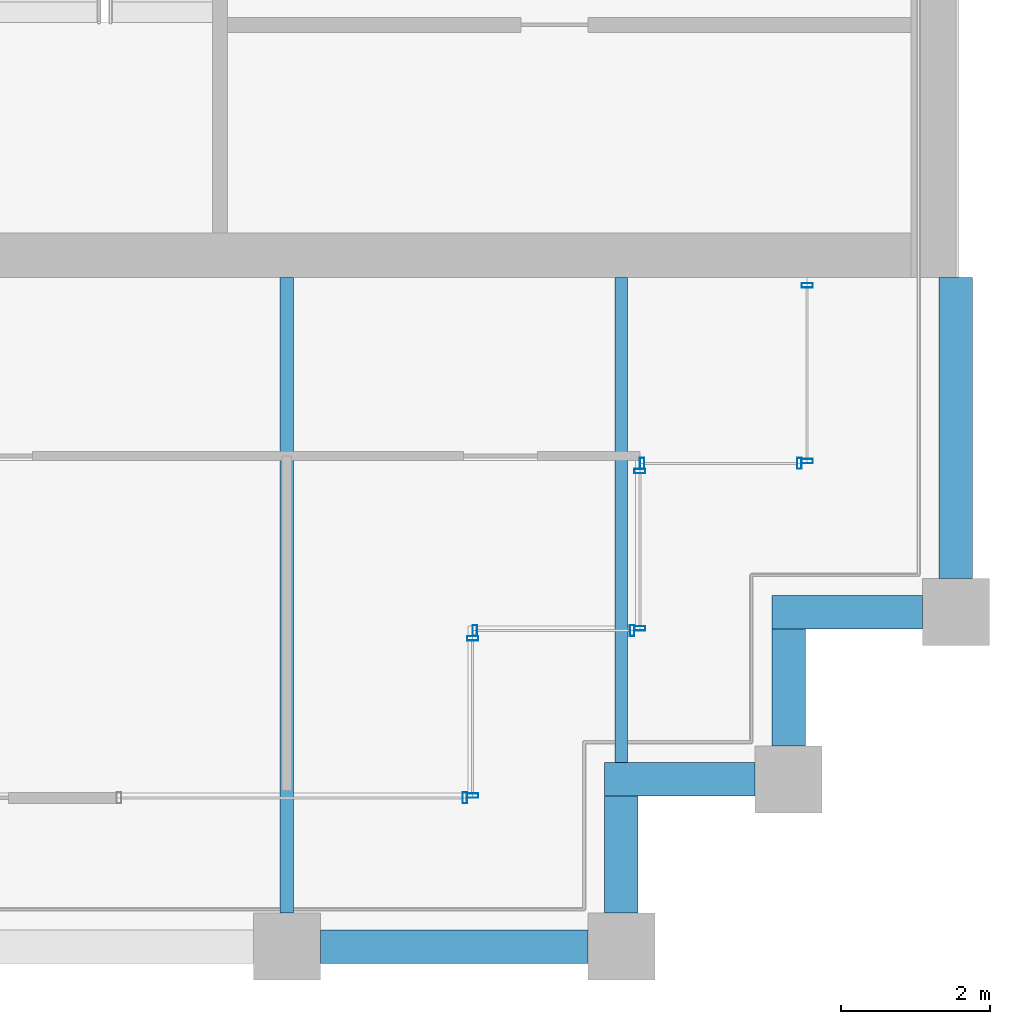
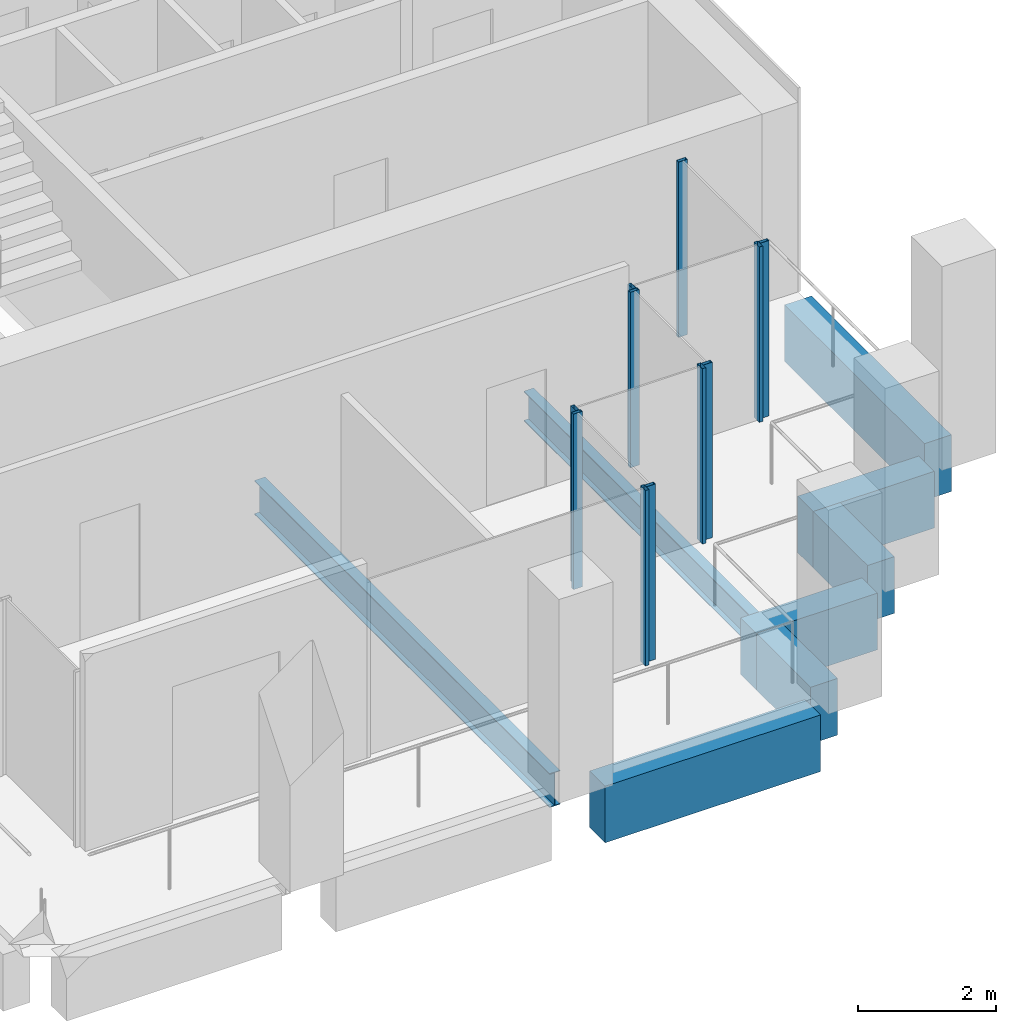
# One storey, part 31 of 40: 11 members, 8 beams, 6 elements without a shape of their own.
"""IFC4 building model written with IfcOpenShell, lengths in metres."""

from ifc_helpers import new_model, si_unit, direction, frame, origin, origin_2d, place, context, subcontext, project, spatial, rectangle, hollow_rectangle, i_section, extrude, material, material_profile, profile_set, type_object, element, aggregate, save


model = new_model("IFC4")

# Units and contexts
model_context = context("Model", 3, precision=1e-05, world=origin(), true_north=direction((0.0, 1.0)))
body_context = subcontext(model_context, "Body", "Model", "MODEL_VIEW")
ifc_project = project(units=[si_unit("LENGTHUNIT", "METRE"), si_unit("AREAUNIT", "SQUARE_METRE"), si_unit("VOLUMEUNIT", "CUBIC_METRE"), si_unit("PLANEANGLEUNIT", "RADIAN"), si_unit("MASSUNIT", "GRAM", prefix="KILO")], contexts=[model_context])

# Site, building, storey
site_placement = place(None, origin())
site = spatial("IfcSite", under=ifc_project, at=site_placement, CompositionType="ELEMENT")
building_placement = place(site_placement, origin())
building = spatial("IfcBuilding", under=site, at=building_placement, Name="Altepetl Exchange Towers", CompositionType="ELEMENT")
storey_placement = place(building_placement, frame((0.0, 0.0, 176.199951171875)))
storey = spatial("IfcBuildingStorey", under=building, at=storey_placement, Name="L44", CompositionType="ELEMENT", Elevation=176.199951171875)

# Beams
ifc_material_1 = material(Name="Steel S355", Category="steel")
ifc_material_profile_1 = material_profile(ifc_material_1, i_section(OverallWidth=0.166015625, OverallDepth=0.529052734375, WebThickness=0.009765625, FlangeThickness=0.013671875, at=origin_2d()), Name="W21X50")
ifc_profile_set_1 = profile_set([ifc_material_profile_1], Name="Steel S355")
beam_type_1 = type_object("IfcBeamType", Name="Floor beam W21X50", PredefinedType="BEAM", material=ifc_profile_set_1)
beam_1_placement = place(storey_placement, frame((112.5, 29.47509765625, -0.41455078125), z_axis=(0.0, 1.0, 0.0), x_axis=(-1.0, 0.0, 0.0)))
element("IfcBeam", 1, at=beam_1_placement, inside=storey, type_object=beam_type_1, Name="bm:B:L44:003", PredefinedType="BEAM", context=body_context, shape_type="SweptSolid", body=[
    extrude(i_section(OverallWidth=0.166015625, OverallDepth=0.529052734375, WebThickness=0.009765625, FlangeThickness=0.013671875, at=origin_2d()), origin(), (0.0, 0.0, 1.0), 6.52490234375),
])
ifc_material_profile_2 = material_profile(ifc_material_1, i_section(OverallWidth=0.177978515625, OverallDepth=0.59912109375, WebThickness=0.010009765625, FlangeThickness=0.0126953125, at=origin_2d()), Name="W24X55")
ifc_profile_set_2 = profile_set([ifc_material_profile_2], Name="Steel S355")
beam_type_2 = type_object("IfcBeamType", Name="Floor beam W24X55", PredefinedType="BEAM", material=ifc_profile_set_2)
beam_2_placement = place(storey_placement, frame((108.0, 27.449951171875, -0.449462890625), z_axis=(0.0, 1.0, 0.0), x_axis=(-1.0, 0.0, 0.0)))
element("IfcBeam", 2, at=beam_2_placement, inside=storey, type_object=beam_type_2, Name="bm:B:L44:002", PredefinedType="BEAM", context=body_context, shape_type="SweptSolid", body=[
    extrude(i_section(OverallWidth=0.177978515625, OverallDepth=0.59912109375, WebThickness=0.010009765625, FlangeThickness=0.0126953125, at=origin_2d()), origin(), (0.0, 0.0, 1.0), 8.550048828125),
])

# Curtain wall, member
ifc_material_2 = material(Name="Aluminium 6063-T6 glazing", Category="aluminium")
curtain_wall_type = type_object("IfcCurtainWallType", Name="Loggia glazing system", PredefinedType="NOTDEFINED", material=ifc_material_2)
curtain_wall_1_placement = place(storey_placement, origin())
curtain_wall_1 = element("IfcCurtainWall", 3, at=curtain_wall_1_placement, inside=storey, type_object=curtain_wall_type, Name="CW1 run", PredefinedType="NOTDEFINED")
ifc_material_3 = material(Name="Aluminium 6063-T6", Category="aluminium")
ifc_material_profile_3 = material_profile(ifc_material_3, hollow_rectangle(XDim=0.06005859375, YDim=0.14990234375, WallThickness=0.0029296875, at=origin_2d()), Name="Mullion 60x150 aluminium")
ifc_profile_set_3 = profile_set([ifc_material_profile_3], Name="Aluminium 6063-T6")
member_type = type_object("IfcMemberType", Name="Mullion 60x150 aluminium", PredefinedType="MULLION", material=ifc_profile_set_3)
member_1_placement = place(storey_placement, frame((110.39501953125, 29.0, 0.0)))
member_1 = element("IfcMember", 4, at=member_1_placement, type_object=member_type, Name="MU1 mullion", PredefinedType="MULLION", context=body_context, shape_type="SweptSolid", body=[
    extrude(hollow_rectangle(XDim=0.06005859375, YDim=0.14990234375, WallThickness=0.0029296875, at=origin_2d()), origin(), (0.0, 0.0, 1.0), 3.10009765625),
])
aggregate(curtain_wall_1, [member_1])

# Curtain wall, members
curtain_wall_2_placement = place(storey_placement, origin())
curtain_wall_2 = element("IfcCurtainWall", 5, at=curtain_wall_2_placement, inside=storey, type_object=curtain_wall_type, Name="CW1 run", PredefinedType="NOTDEFINED")
member_2_placement = place(storey_placement, frame((110.5, 29.030029296875, 0.0), z_axis=(0.0, 0.0, 1.0), x_axis=(0.0, 1.0, 0.0)))
member_2 = element("IfcMember", 6, at=member_2_placement, type_object=member_type, Name="MU1 mullion", PredefinedType="MULLION", context=body_context, shape_type="SweptSolid", body=[
    extrude(hollow_rectangle(XDim=0.06005859375, YDim=0.14990234375, WallThickness=0.0029296875, at=origin_2d()), origin(), (0.0, 0.0, 1.0), 3.10009765625),
])
member_3_placement = place(storey_placement, frame((110.5, 31.14501953125, 0.0), z_axis=(0.0, 0.0, 1.0), x_axis=(0.0, 1.0, 0.0)))
member_3 = element("IfcMember", 7, at=member_3_placement, type_object=member_type, Name="MU1 mullion", PredefinedType="MULLION", context=body_context, shape_type="SweptSolid", body=[
    extrude(hollow_rectangle(XDim=0.06005859375, YDim=0.14990234375, WallThickness=0.0029296875, at=origin_2d()), origin(), (0.0, 0.0, 1.0), 3.10009765625),
])
aggregate(curtain_wall_2, [member_2, member_3])

curtain_wall_3_placement = place(storey_placement, origin())
curtain_wall_3 = element("IfcCurtainWall", 8, at=curtain_wall_3_placement, inside=storey, type_object=curtain_wall_type, Name="CW1 run", PredefinedType="NOTDEFINED")
member_4_placement = place(storey_placement, frame((110.530029296875, 31.25, 0.0)))
member_4 = element("IfcMember", 9, at=member_4_placement, type_object=member_type, Name="MU1 mullion", PredefinedType="MULLION", context=body_context, shape_type="SweptSolid", body=[
    extrude(hollow_rectangle(XDim=0.06005859375, YDim=0.14990234375, WallThickness=0.0029296875, at=origin_2d()), origin(), (0.0, 0.0, 1.0), 3.10009765625),
])
member_5_placement = place(storey_placement, frame((112.64501953125, 31.25, 0.0)))
member_5 = element("IfcMember", 10, at=member_5_placement, type_object=member_type, Name="MU1 mullion", PredefinedType="MULLION", context=body_context, shape_type="SweptSolid", body=[
    extrude(hollow_rectangle(XDim=0.06005859375, YDim=0.14990234375, WallThickness=0.0029296875, at=origin_2d()), origin(), (0.0, 0.0, 1.0), 3.10009765625),
])
aggregate(curtain_wall_3, [member_4, member_5])

curtain_wall_4_placement = place(storey_placement, origin())
curtain_wall_4 = element("IfcCurtainWall", 11, at=curtain_wall_4_placement, inside=storey, type_object=curtain_wall_type, Name="CW1 run", PredefinedType="NOTDEFINED")
member_6_placement = place(storey_placement, frame((112.75, 31.280029296875, 0.0), z_axis=(0.0, 0.0, 1.0), x_axis=(0.0, 1.0, 0.0)))
member_6 = element("IfcMember", 12, at=member_6_placement, type_object=member_type, Name="MU1 mullion", PredefinedType="MULLION", context=body_context, shape_type="SweptSolid", body=[
    extrude(hollow_rectangle(XDim=0.06005859375, YDim=0.14990234375, WallThickness=0.0029296875, at=origin_2d()), origin(), (0.0, 0.0, 1.0), 3.10009765625),
])
member_7_placement = place(storey_placement, frame((112.75, 33.39501953125, 0.0), z_axis=(0.0, 0.0, 1.0), x_axis=(0.0, 1.0, 0.0)))
member_7 = element("IfcMember", 13, at=member_7_placement, type_object=member_type, Name="MU1 mullion", PredefinedType="MULLION", context=body_context, shape_type="SweptSolid", body=[
    extrude(hollow_rectangle(XDim=0.06005859375, YDim=0.14990234375, WallThickness=0.0029296875, at=origin_2d()), origin(), (0.0, 0.0, 1.0), 3.10009765625),
])
aggregate(curtain_wall_4, [member_6, member_7])

curtain_wall_5_placement = place(storey_placement, origin())
curtain_wall_5 = element("IfcCurtainWall", 14, at=curtain_wall_5_placement, inside=storey, type_object=curtain_wall_type, Name="CW1 run", PredefinedType="NOTDEFINED")
member_8_placement = place(storey_placement, frame((112.780029296875, 33.5, 0.0)))
member_8 = element("IfcMember", 15, at=member_8_placement, type_object=member_type, Name="MU1 mullion", PredefinedType="MULLION", context=body_context, shape_type="SweptSolid", body=[
    extrude(hollow_rectangle(XDim=0.06005859375, YDim=0.14990234375, WallThickness=0.0029296875, at=origin_2d()), origin(), (0.0, 0.0, 1.0), 3.10009765625),
])
member_9_placement = place(storey_placement, frame((114.89501953125, 33.5, 0.0)))
member_9 = element("IfcMember", 16, at=member_9_placement, type_object=member_type, Name="MU1 mullion", PredefinedType="MULLION", context=body_context, shape_type="SweptSolid", body=[
    extrude(hollow_rectangle(XDim=0.06005859375, YDim=0.14990234375, WallThickness=0.0029296875, at=origin_2d()), origin(), (0.0, 0.0, 1.0), 3.10009765625),
])
aggregate(curtain_wall_5, [member_8, member_9])

curtain_wall_6_placement = place(storey_placement, origin())
curtain_wall_6 = element("IfcCurtainWall", 17, at=curtain_wall_6_placement, inside=storey, type_object=curtain_wall_type, Name="CW1 run", PredefinedType="NOTDEFINED")
member_10_placement = place(storey_placement, frame((115.0, 33.530029296875, 0.0), z_axis=(0.0, 0.0, 1.0), x_axis=(0.0, 1.0, 0.0)))
member_10 = element("IfcMember", 18, at=member_10_placement, type_object=member_type, Name="MU1 mullion", PredefinedType="MULLION", context=body_context, shape_type="SweptSolid", body=[
    extrude(hollow_rectangle(XDim=0.06005859375, YDim=0.14990234375, WallThickness=0.0029296875, at=origin_2d()), origin(), (0.0, 0.0, 1.0), 3.10009765625),
])
member_11_placement = place(storey_placement, frame((115.0, 35.89501953125, 0.0), z_axis=(0.0, 0.0, 1.0), x_axis=(0.0, 1.0, 0.0)))
member_11 = element("IfcMember", 19, at=member_11_placement, type_object=member_type, Name="MU1 mullion", PredefinedType="MULLION", context=body_context, shape_type="SweptSolid", body=[
    extrude(hollow_rectangle(XDim=0.06005859375, YDim=0.14990234375, WallThickness=0.0029296875, at=origin_2d()), origin(), (0.0, 0.0, 1.0), 3.10009765625),
])
aggregate(curtain_wall_6, [member_10, member_11])

# Beams
ifc_material_4 = material(Name="Concrete C50/60 precast with cantera blanca facing", Category="concrete")
ifc_material_profile_4 = material_profile(ifc_material_4, rectangle(XDim=0.449951171875, YDim=1.0, at=origin_2d()), Name="450 x 1000")
ifc_profile_set_4 = profile_set([ifc_material_profile_4], Name="Concrete C50/60 precast with cantera blanca facing")
beam_type_3 = type_object("IfcBeamType", Name="Spandrel beam 450x1000 cantera blanca", PredefinedType="SPANDREL", material=ifc_profile_set_4)
beam_3_placement = place(storey_placement, frame((117.0, 31.949951171875, -0.64990234375), z_axis=(0.0, 1.0, 0.0), x_axis=(-1.0, 0.0, 0.0)))
element("IfcBeam", 20, at=beam_3_placement, inside=storey, type_object=beam_type_3, Name="sp:B:L44:007", PredefinedType="SPANDREL", context=body_context, shape_type="SweptSolid", body=[
    extrude(rectangle(XDim=0.449951171875, YDim=1.0, at=origin_2d()), origin(), (0.0, 0.0, 1.0), 4.050048828125),
])
ifc_material_5 = material(Name="Concrete C50/60 precast with tezontle facing", Category="concrete")
ifc_material_profile_5 = material_profile(ifc_material_5, rectangle(XDim=0.449951171875, YDim=1.0, at=origin_2d()), Name="450 x 1000")
ifc_profile_set_5 = profile_set([ifc_material_profile_5], Name="Concrete C50/60 precast with tezontle facing")
beam_type_4 = type_object("IfcBeamType", Name="Spandrel beam 450x1000 tezontle", PredefinedType="SPANDREL", material=ifc_profile_set_5)
beam_4_placement = place(storey_placement, frame((108.449951171875, 27.0, -0.64990234375), z_axis=(1.0, 0.0, 0.0), x_axis=(0.0, 1.0, 0.0)))
element("IfcBeam", 21, at=beam_4_placement, inside=storey, type_object=beam_type_4, Name="sp:B:L44:002", PredefinedType="SPANDREL", context=body_context, shape_type="SweptSolid", body=[
    extrude(rectangle(XDim=0.449951171875, YDim=1.0, at=origin_2d()), origin(), (0.0, 0.0, 1.0), 3.60009765625),
])
beam_5_placement = place(storey_placement, frame((112.5, 27.449951171875, -0.64990234375), z_axis=(0.0, 1.0, 0.0), x_axis=(-1.0, 0.0, 0.0)))
element("IfcBeam", 22, at=beam_5_placement, inside=storey, type_object=beam_type_4, Name="sp:B:L44:003", PredefinedType="SPANDREL", context=body_context, shape_type="SweptSolid", body=[
    extrude(rectangle(XDim=0.449951171875, YDim=1.0, at=origin_2d()), origin(), (0.0, 0.0, 1.0), 1.574951171875),
])
beam_6_placement = place(storey_placement, frame((112.27490234375, 29.25, -0.64990234375), z_axis=(1.0, 0.0, 0.0), x_axis=(0.0, 1.0, 0.0)))
element("IfcBeam", 23, at=beam_6_placement, inside=storey, type_object=beam_type_4, Name="sp:B:L44:004", PredefinedType="SPANDREL", context=body_context, shape_type="SweptSolid", body=[
    extrude(rectangle(XDim=0.449951171875, YDim=1.0, at=origin_2d()), origin(), (0.0, 0.0, 1.0), 2.025146484375),
])
beam_7_placement = place(storey_placement, frame((114.75, 29.699951171875, -0.64990234375), z_axis=(0.0, 1.0, 0.0), x_axis=(-1.0, 0.0, 0.0)))
element("IfcBeam", 24, at=beam_7_placement, inside=storey, type_object=beam_type_4, Name="sp:B:L44:005", PredefinedType="SPANDREL", context=body_context, shape_type="SweptSolid", body=[
    extrude(rectangle(XDim=0.449951171875, YDim=1.0, at=origin_2d()), origin(), (0.0, 0.0, 1.0), 1.574951171875),
])
beam_8_placement = place(storey_placement, frame((114.52490234375, 31.5, -0.64990234375), z_axis=(1.0, 0.0, 0.0), x_axis=(0.0, 1.0, 0.0)))
element("IfcBeam", 25, at=beam_8_placement, inside=storey, type_object=beam_type_4, Name="sp:B:L44:006", PredefinedType="SPANDREL", context=body_context, shape_type="SweptSolid", body=[
    extrude(rectangle(XDim=0.449951171875, YDim=1.0, at=origin_2d()), origin(), (0.0, 0.0, 1.0), 2.025146484375),
])

save(model, "model.ifc")
